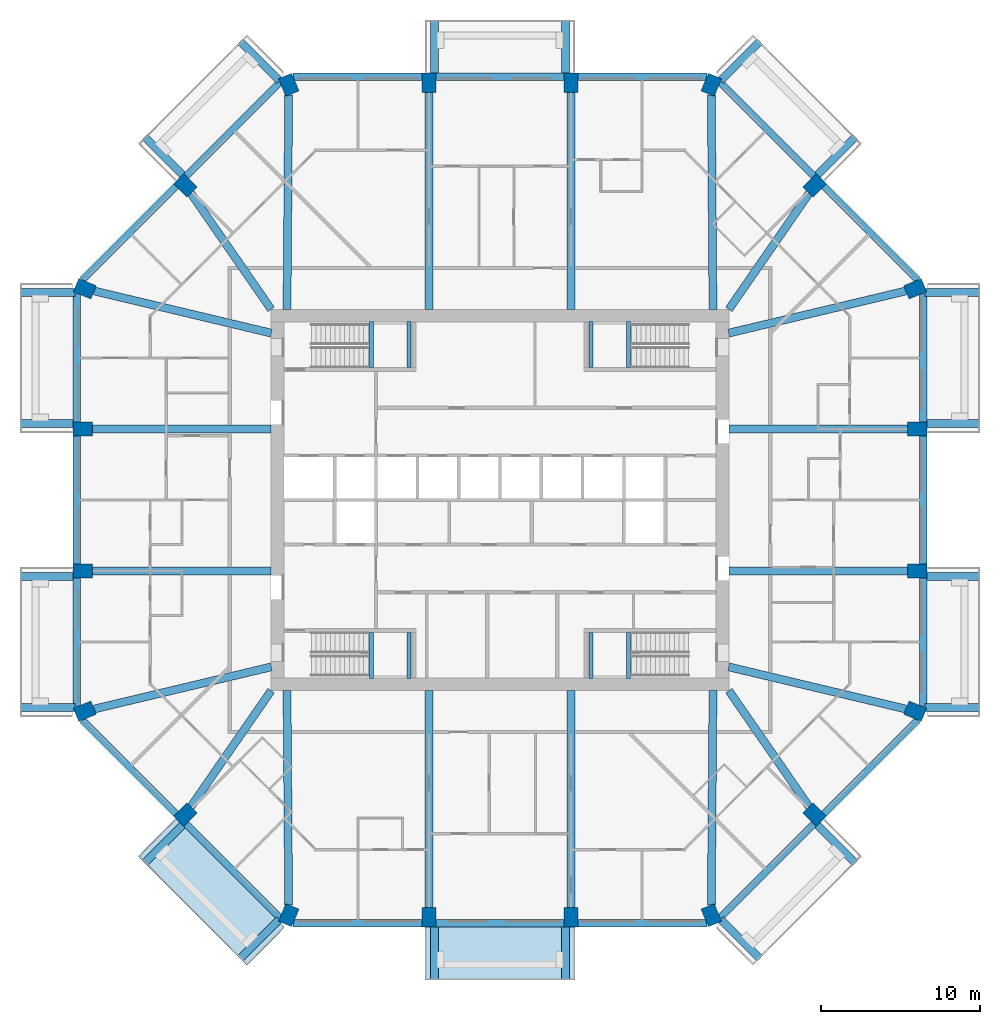
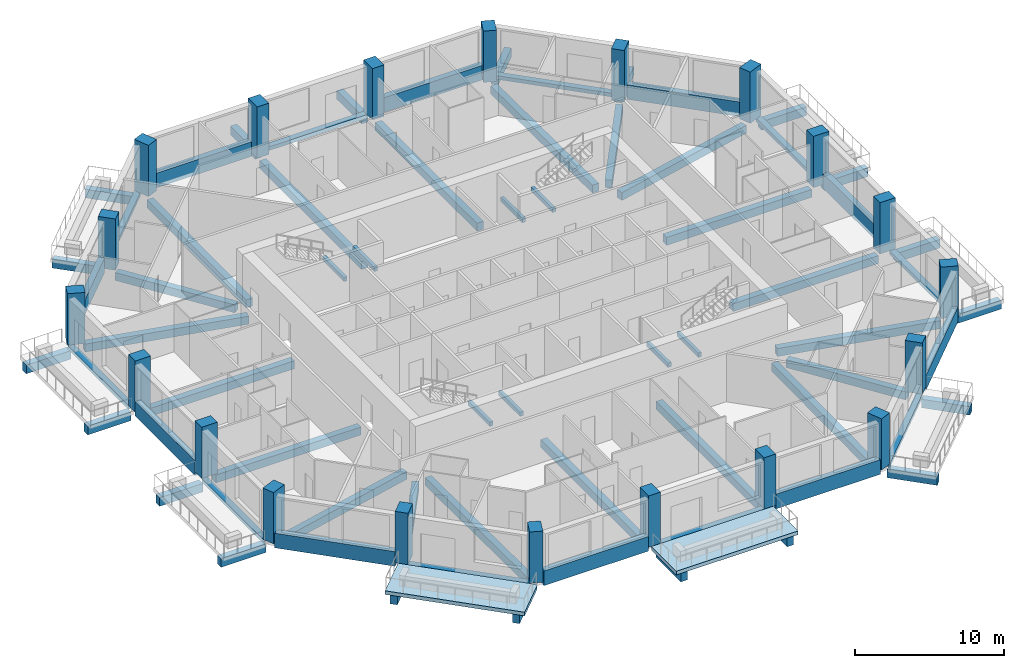
# One storey, part 1 of 13: 68 beams, 20 columns, 2 slabs.
"""IFC4 building model written with IfcOpenShell, lengths in metres."""

import ifcopenshell
import ifcopenshell.guid

model = None  # the IFC model being written
_history = None  # IfcOwnerHistory: only IFC2X3 demands one
_inside = {}  # id of a spatial element -> (the spatial element, [elements in it])
_under = {}  # id of a project, library or spatial element -> (it, [spatial elements below it])
_declared = {}  # id of a project -> (the project, [libraries it declares])
_typed = {}  # id of a type object -> (the type object, [elements of that type])
_made_of = {}  # id of a material, layer set ... -> (it, [elements and type objects made of it])


def new_model(schema):
    """Start an empty IFC model of exactly this schema.

    Asked for "IFC4X3", IfcOpenShell would pick the latest addendum, in which some entities
    have other attributes; the version numbers below select the first issue.
    IFC2X3 requires an IfcOwnerHistory on every rooted entity: one is made here for all.
    """
    global model, _history
    if schema == "IFC4X3":
        model = ifcopenshell.file(schema_version=(4, 3, 0, 0))
    else:
        model = ifcopenshell.file(schema=schema)
    _inside.clear()
    _under.clear()
    _declared.clear()
    _typed.clear()
    _made_of.clear()
    _history = None
    if model.schema == "IFC2X3":
        org = make("IfcOrganization", Name="unknown")
        user = make(
            "IfcPersonAndOrganization",
            ThePerson=make("IfcPerson", FamilyName="unknown"),
            TheOrganization=org,
        )
        app = make(
            "IfcApplication",
            ApplicationDeveloper=org,
            Version="unknown",
            ApplicationFullName="unknown",
            ApplicationIdentifier="unknown",
        )
        _history = make(
            "IfcOwnerHistory",
            OwningUser=user,
            OwningApplication=app,
            ChangeAction="ADDED",
            CreationDate=0,
        )
    return model


def make(cls, **values):
    """One entity of the class cls with the attributes given. An attribute that is None is left unset."""
    return model.create_entity(
        cls, **{name: value for name, value in values.items() if value is not None}
    )


def rooted(cls, **values):
    """An entity with a GlobalId (a new one), such as an element, a storey or a relation."""
    return make(cls, GlobalId=ifcopenshell.guid.new(), OwnerHistory=_history, **values)


def si_unit(unit_type, name, prefix=None):
    """IfcSIUnit, for example si_unit("LENGTHUNIT", "METRE", prefix="MILLI")."""
    return make("IfcSIUnit", UnitType=unit_type, Prefix=prefix, Name=name)


def assignment(units):
    """IfcUnitAssignment: the units of a project."""
    return None if units is None else make("IfcUnitAssignment", Units=units)


def point(xyz):
    """IfcCartesianPoint."""
    return None if xyz is None else make("IfcCartesianPoint", Coordinates=xyz)


def direction(xyz):
    """IfcDirection."""
    return None if xyz is None else make("IfcDirection", DirectionRatios=xyz)


def frame(location, z_axis=None, x_axis=None):
    """IfcAxis2Placement3D, a coordinate frame: its origin and axes. An axis left out is left unset."""
    return make(
        "IfcAxis2Placement3D",
        Location=point(location),
        Axis=direction(z_axis),
        RefDirection=direction(x_axis),
    )


def frame_2d(location, x_axis=None):
    """IfcAxis2Placement2D, a coordinate frame in the plane: its origin and x axis."""
    return make(
        "IfcAxis2Placement2D", Location=point(location), RefDirection=direction(x_axis)
    )


def origin():
    """The frame at (0, 0, 0) with its axes left unset."""
    return frame((0.0, 0.0, 0.0))


def origin_2d():
    """The frame at (0, 0) in the plane with its x axis left unset."""
    return frame_2d((0.0, 0.0))


def place(relative_to, where):
    """IfcLocalPlacement: puts the frame where relative to a parent placement (None: the world)."""
    return make(
        "IfcLocalPlacement", PlacementRelTo=relative_to, RelativePlacement=where
    )


def context(
    kind, dimensions, precision=None, world=None, true_north=None, identifier=None
):
    """IfcGeometricRepresentationContext, for example the 3D "Model" context."""
    return make(
        "IfcGeometricRepresentationContext",
        ContextIdentifier=identifier,
        ContextType=kind,
        CoordinateSpaceDimension=dimensions,
        Precision=precision,
        WorldCoordinateSystem=world,
        TrueNorth=true_north,
    )


def subcontext(parent, identifier, kind, view, scale=None):
    """IfcGeometricRepresentationSubContext, for example "Body" below "Model"."""
    return make(
        "IfcGeometricRepresentationSubContext",
        ContextIdentifier=identifier,
        ContextType=kind,
        ParentContext=parent,
        TargetScale=scale,
        TargetView=view,
    )


def project(units=None, contexts=None):
    """IfcProject with its units and contexts."""
    return rooted(
        "IfcProject",
        Name="project",
        RepresentationContexts=contexts,
        UnitsInContext=assignment(units),
    )


def spatial(cls, under=None, at=None, **own):
    """A site, building, storey or space (cls), placed at a placement, below another one or the project."""
    s = rooted(cls, ObjectPlacement=at, **own)
    if under is not None:
        _under.setdefault(under.id(), (under, []))[1].append(s)
    return s


def polyline(points):
    """IfcPolyline through the points."""
    return make("IfcPolyline", Points=[point(p) for p in points])


def profile(cls, at=None, kind="AREA", **sizes):
    """A parametric profile (cls). Its sizes go by their IFC names, for example OverallWidth=200.0."""
    return make(cls, ProfileType=kind, Position=at, **sizes)


def rectangle(**sizes):
    """IfcRectangleProfileDef."""
    return profile("IfcRectangleProfileDef", **sizes)


def outline(outer, holes=None, kind="AREA"):
    """IfcArbitraryClosedProfileDef: a profile drawn as a closed curve; with holes, ...WithVoids."""
    if holes is None:
        return make("IfcArbitraryClosedProfileDef", ProfileType=kind, OuterCurve=outer)
    return make(
        "IfcArbitraryProfileDefWithVoids",
        ProfileType=kind,
        OuterCurve=outer,
        InnerCurves=holes,
    )


def extrude(swept, where, along, depth):
    """IfcExtrudedAreaSolid: the profile swept, set in the frame where, extruded along a direction by depth."""
    return make(
        "IfcExtrudedAreaSolid",
        SweptArea=swept,
        Position=where,
        ExtrudedDirection=direction(along),
        Depth=depth,
    )


def shape(context_of_items, identifier, shape_type, items):
    """IfcShapeRepresentation: the items that make up one representation, for example the "Body"."""
    return make(
        "IfcShapeRepresentation",
        ContextOfItems=context_of_items,
        RepresentationIdentifier=identifier,
        RepresentationType=shape_type,
        Items=items,
    )


def material(Name=None, Category=None):
    """IfcMaterial."""
    return make("IfcMaterial", Name=Name, Category=Category)


def layer(
    of_material, thickness, ventilated=None, Name=None, Category=None, Priority=None
):
    """IfcMaterialLayer: one layer of a wall or slab, of a material (None: an air gap)."""
    return make(
        "IfcMaterialLayer",
        Material=of_material,
        LayerThickness=thickness,
        IsVentilated=ventilated,
        Name=Name,
        Category=Category,
        Priority=Priority,
    )


def layer_set(layers, Name=None):
    """IfcMaterialLayerSet."""
    return make("IfcMaterialLayerSet", MaterialLayers=layers, LayerSetName=Name)


def material_profile(
    of_material, cross_section, Name=None, Category=None, Priority=None
):
    """IfcMaterialProfile: a cross section and its material."""
    return make(
        "IfcMaterialProfile",
        Name=Name,
        Material=of_material,
        Profile=cross_section,
        Priority=Priority,
        Category=Category,
    )


def profile_set(profiles, Name=None, composite=None):
    """IfcMaterialProfileSet."""
    return make(
        "IfcMaterialProfileSet",
        Name=Name,
        MaterialProfiles=profiles,
        CompositeProfile=composite,
    )


def made_of(thing, what):
    """Note that an element or type object is made of a material, layer set ...; save() writes the relation."""
    if what is not None:
        _made_of.setdefault(what.id(), (what, []))[1].append(thing)
    return thing


def type_object(cls, material=None, **own):
    """A type object (cls), such as IfcWallType, which elements share."""
    return made_of(rooted(cls, **own), material)


def element(
    cls,
    number,
    at=None,
    inside=None,
    cuts=None,
    type_object=None,
    material=None,
    context=None,
    identifier="Body",
    shape_type=None,
    held_by="IfcProductDefinitionShape",
    body=None,
    shapes=None,
    **own,
):
    """One element of the class cls, such as IfcWall. Its Tag is "e" and its number.

    at: its placement. inside: the storey or other place that contains it. cuts: it is an
    opening in that element (IfcRelVoidsElement). A single representation is given by context,
    identifier, shape_type and body (its items); several are given by shapes. held_by: the class
    of the entity that holds the representations. save() writes the other relations.
    """
    e = rooted(cls, Tag="e%d" % number, ObjectPlacement=at, **own)
    if body is not None:
        shapes = [shape(context, identifier, shape_type, body)]
    if shapes is not None:
        e.Representation = make(held_by, Representations=shapes)
    if inside is not None:
        _inside.setdefault(inside.id(), (inside, []))[1].append(e)
    if cuts is not None:
        rooted(
            "IfcRelVoidsElement", RelatingBuildingElement=cuts, RelatedOpeningElement=e
        )
    if type_object is not None:
        _typed.setdefault(type_object.id(), (type_object, []))[1].append(e)
    return made_of(e, material)


def aggregate(whole, parts):
    """IfcRelAggregates: a whole, such as a stair, and the parts it consists of."""
    return rooted("IfcRelAggregates", RelatingObject=whole, RelatedObjects=parts)


def save(model, path):
    """Write the relations noted so far, then the file.

    IfcRelAggregates (storeys below a building ...), IfcRelContainedInSpatialStructure (elements
    in a storey), IfcRelDefinesByType, IfcRelAssociatesMaterial and IfcRelDeclares: one each for
    every whole, place, type object, material and project.
    """
    for whole, parts in _under.values():
        aggregate(whole, parts)
    for where, things in _inside.values():
        rooted(
            "IfcRelContainedInSpatialStructure",
            RelatedElements=things,
            RelatingStructure=where,
        )
    for kind, things in _typed.values():
        rooted("IfcRelDefinesByType", RelatedObjects=things, RelatingType=kind)
    for what, things in _made_of.values():
        rooted("IfcRelAssociatesMaterial", RelatedObjects=things, RelatingMaterial=what)
    for by, libraries in _declared.values():
        rooted("IfcRelDeclares", RelatingContext=by, RelatedDefinitions=libraries)
    model.write(path)


model = new_model("IFC4")

# Units and contexts
model_context = context("Model", 3, precision=1e-05, world=origin(), true_north=direction((0.0, 1.0)))
body_context = subcontext(model_context, "Body", "Model", "MODEL_VIEW")
ifc_project = project(units=[si_unit("LENGTHUNIT", "METRE"), si_unit("AREAUNIT", "SQUARE_METRE"), si_unit("VOLUMEUNIT", "CUBIC_METRE"), si_unit("PLANEANGLEUNIT", "RADIAN"), si_unit("MASSUNIT", "GRAM", prefix="KILO")], contexts=[model_context])

# Site, building, storey
site_placement = place(None, origin())
site = spatial("IfcSite", under=ifc_project, at=site_placement, CompositionType="ELEMENT")
building_placement = place(site_placement, origin())
building = spatial("IfcBuilding", under=site, at=building_placement, Name="Msitu Wima Residences", CompositionType="ELEMENT")
storey_placement = place(building_placement, frame((0.0, 0.0, 131.699951171875)))
storey = spatial("IfcBuildingStorey", under=building, at=storey_placement, Name="L30", CompositionType="ELEMENT", Elevation=131.699951171875)

# Columns
ifc_material_1 = material(Name="Concrete C70/85", Category="concrete")
ifc_material_profile_1 = material_profile(ifc_material_1, rectangle(XDim=0.89990234375, YDim=1.199951171875, at=origin_2d()), Name="RC 900x1200")
ifc_profile_set_1 = profile_set([ifc_material_profile_1], Name="Concrete C70/85")
column_type = type_object("IfcColumnType", Name="Column RC 900x1200 Concrete C70/85", PredefinedType="COLUMN", material=ifc_profile_set_1)
for number, where, z_axis, x_axis, name in (
    (1, (26.12353515625, -13.291259765625, 0.0), (0.0, 0.0, 1.0), (0.382683496864, 0.923879505795, 0.0), "Column L30 C-E0"),
    (2, (26.25, -4.46875, 0.0), (0.0, 0.0, 1.0), (0.0, 1.0, 0.0), "Column L30 C-E1"),
    (3, (26.25, 4.46875, 0.0), (0.0, 0.0, 1.0), (0.0, 1.0, 0.0), "Column L30 C-E2"),
    (4, (26.12353515625, 13.291259765625, 0.0), (0.0, 0.0, 1.0), (-0.382683496864, 0.923879505795, 0.0), "Column L30 C-NE0"),
    (5, (19.796875, 19.796875, 0.0), (0.0, 0.0, 1.0), (-0.707106781187, 0.707106781187, 0.0), "Column L30 C-NE1"),
    (6, (13.291259765625, 26.12353515625, 0.0), (0.0, 0.0, 1.0), (-0.923879505795, 0.382683496864, 0.0), "Column L30 C-N0"),
    (7, (4.46875, 26.25, 0.0), (0.0, 0.0, 1.0), (-1.0, 0.0, 0.0), "Column L30 C-N1"),
    (8, (-4.46875, 26.25, 0.0), (0.0, 0.0, 1.0), (-1.0, 0.0, 0.0), "Column L30 C-N2"),
    (9, (-13.291259765625, 26.12353515625, 0.0), (0.0, 0.0, 1.0), (-0.923879505795, -0.382683496864, 0.0), "Column L30 C-NW0"),
    (10, (-19.796875, 19.796875, 0.0), (0.0, 0.0, 1.0), (-0.707106781187, -0.707106781187, 0.0), "Column L30 C-NW1"),
    (11, (-26.12353515625, 13.291259765625, 0.0), (0.0, 0.0, 1.0), (-0.382683496864, -0.923879505795, 0.0), "Column L30 C-W0"),
    (12, (-26.25, 4.46875, 0.0), (0.0, 0.0, 1.0), (0.0, -1.0, 0.0), "Column L30 C-W1"),
    (13, (-26.25, -4.46875, 0.0), (0.0, 0.0, 1.0), (0.0, -1.0, 0.0), "Column L30 C-W2"),
    (14, (-26.12353515625, -13.291259765625, 0.0), (0.0, 0.0, 1.0), (0.382683496864, -0.923879505795, 0.0), "Column L30 C-SW0"),
    (15, (-19.796875, -19.796875, 0.0), (0.0, 0.0, 1.0), (0.707106781187, -0.707106781187, 0.0), "Column L30 C-SW1"),
    (16, (-13.291259765625, -26.12353515625, 0.0), (0.0, 0.0, 1.0), (0.923879505795, -0.382683496864, 0.0), "Column L30 C-S0"),
    (17, (-4.46875, -26.25, 0.0), (0.0, 0.0, 1.0), (1.0, 0.0, 0.0), "Column L30 C-S1"),
    (18, (4.46875, -26.25, 0.0), (0.0, 0.0, 1.0), (1.0, 0.0, 0.0), "Column L30 C-S2"),
    (19, (13.291259765625, -26.12353515625, 0.0), (0.0, 0.0, 1.0), (0.923879505795, 0.382683496864, 0.0), "Column L30 C-SE0"),
    (20, (19.796875, -19.796875, 0.0), (0.0, 0.0, 1.0), (0.707106781187, 0.707106781187, 0.0), "Column L30 C-SE1"),
):
    element("IfcColumn", number, at=place(storey_placement, frame(where, z_axis=z_axis, x_axis=x_axis)), inside=storey, type_object=column_type, Name=name, PredefinedType="COLUMN", context=body_context, shape_type="SweptSolid", body=[
        extrude(rectangle(XDim=0.89990234375, YDim=1.199951171875, at=origin_2d()), origin(), (0.0, 0.0, 1.0), 4.199951171875),
    ])

# Beams
ifc_material_2 = material(Name="Concrete C50/60", Category="concrete")
ifc_material_profile_2 = material_profile(ifc_material_2, rectangle(XDim=0.5, YDim=0.64990234375, at=origin_2d()), Name="RC 500x650")
ifc_profile_set_2 = profile_set([ifc_material_profile_2], Name="Concrete C50/60")
beam_type_1 = type_object("IfcBeamType", Name="Beam RC 500x650 Concrete C50/60", PredefinedType="BEAM", material=ifc_profile_set_2)
beam_1_placement = place(storey_placement, frame((25.5322265625, -13.150634765625, -0.574951171875), z_axis=(-0.972805528659, 0.231623408598, 0.0), x_axis=(-0.231623408598, -0.972805528659, 0.0)))
element("IfcBeam", 21, at=beam_1_placement, inside=storey, type_object=beam_type_1, Name="Beam L30 C-E0", PredefinedType="BEAM", context=body_context, shape_type="SweptSolid", body=[
    extrude(rectangle(XDim=0.5, YDim=0.64990234375, at=origin_2d()), origin(), (0.0, 0.0, 1.0), 11.455322265625),
])
for number, where, z_axis, x_axis, name in (
    (22, (25.64990234375, -4.46875, -0.574951171875), (-1.0, 0.0, 0.0), (0.0, -1.0, 0.0), "Beam L30 C-E1"),
    (23, (25.64990234375, 4.46875, -0.574951171875), (-1.0, 0.0, 0.0), (0.0, -1.0, 0.0), "Beam L30 C-E2"),
):
    element("IfcBeam", number, at=place(storey_placement, frame(where, z_axis=z_axis, x_axis=x_axis)), inside=storey, type_object=beam_type_1, Name=name, PredefinedType="BEAM", context=body_context, shape_type="SweptSolid", body=[
        extrude(rectangle(XDim=0.5, YDim=0.64990234375, at=origin_2d()), origin(), (0.0, 0.0, 1.0), 11.25),
    ])
beam_2_placement = place(storey_placement, frame((25.5322265625, 13.150634765625, -0.574951171875), z_axis=(-0.972805528659, -0.231623408598, 0.0), x_axis=(0.231623408598, -0.972805528659, 0.0)))
element("IfcBeam", 24, at=beam_2_placement, inside=storey, type_object=beam_type_1, Name="Beam L30 C-NE0", PredefinedType="BEAM", context=body_context, shape_type="SweptSolid", body=[
    extrude(rectangle(XDim=0.5, YDim=0.64990234375, at=origin_2d()), origin(), (0.0, 0.0, 1.0), 11.455322265625),
])
beam_3_placement = place(storey_placement, frame((19.44970703125, 19.29541015625, -0.574951171875), z_axis=(-0.569144158363, -0.822237755763, 0.0), x_axis=(0.822237755763, -0.569144158363, 0.0)))
element("IfcBeam", 25, at=beam_3_placement, inside=storey, type_object=beam_type_1, Name="Beam L30 C-NE1", PredefinedType="BEAM", context=body_context, shape_type="SweptSolid", body=[
    extrude(rectangle(XDim=0.5, YDim=0.64990234375, at=origin_2d()), origin(), (0.0, 0.0, 1.0), 8.87255859375),
])
beam_4_placement = place(storey_placement, frame((13.29638671875, 25.471923828125, -0.574951171875), z_axis=(0.007694865426, -0.999970394085, 0.0), x_axis=(0.999970394085, 0.007694865426, 0.0)))
element("IfcBeam", 26, at=beam_4_placement, inside=storey, type_object=beam_type_1, Name="Beam L30 C-N0", PredefinedType="BEAM", context=body_context, shape_type="SweptSolid", body=[
    extrude(rectangle(XDim=0.5, YDim=0.64990234375, at=origin_2d()), origin(), (0.0, 0.0, 1.0), 13.484375),
])
for number, where, z_axis, x_axis, name in (
    (27, (4.46875, 25.64990234375, -0.574951171875), (0.0, -1.0, 0.0), (1.0, 0.0, 0.0), "Beam L30 C-N1"),
    (28, (-4.46875, 25.64990234375, -0.574951171875), (0.0, -1.0, 0.0), (1.0, 0.0, 0.0), "Beam L30 C-N2"),
):
    element("IfcBeam", number, at=place(storey_placement, frame(where, z_axis=z_axis, x_axis=x_axis)), inside=storey, type_object=beam_type_1, Name=name, PredefinedType="BEAM", context=body_context, shape_type="SweptSolid", body=[
        extrude(rectangle(XDim=0.5, YDim=0.64990234375, at=origin_2d()), origin(), (0.0, 0.0, 1.0), 13.64990234375),
    ])
beam_5_placement = place(storey_placement, frame((-13.29638671875, 25.471923828125, -0.574951171875), z_axis=(-0.007694865426, -0.999970394085, 0.0), x_axis=(0.999970394085, -0.007694865426, 0.0)))
element("IfcBeam", 29, at=beam_5_placement, inside=storey, type_object=beam_type_1, Name="Beam L30 C-NW0", PredefinedType="BEAM", context=body_context, shape_type="SweptSolid", body=[
    extrude(rectangle(XDim=0.5, YDim=0.64990234375, at=origin_2d()), origin(), (0.0, 0.0, 1.0), 13.484375),
])
beam_6_placement = place(storey_placement, frame((-19.44970703125, 19.29541015625, -0.574951171875), z_axis=(0.569144158363, -0.822237755763, 0.0), x_axis=(0.822237755763, 0.569144158363, 0.0)))
element("IfcBeam", 30, at=beam_6_placement, inside=storey, type_object=beam_type_1, Name="Beam L30 C-NW1", PredefinedType="BEAM", context=body_context, shape_type="SweptSolid", body=[
    extrude(rectangle(XDim=0.5, YDim=0.64990234375, at=origin_2d()), origin(), (0.0, 0.0, 1.0), 8.87255859375),
])
beam_7_placement = place(storey_placement, frame((-25.5322265625, 13.150634765625, -0.574951171875), z_axis=(0.972805528659, -0.231623408598, 0.0), x_axis=(0.231623408598, 0.972805528659, 0.0)))
element("IfcBeam", 31, at=beam_7_placement, inside=storey, type_object=beam_type_1, Name="Beam L30 C-W0", PredefinedType="BEAM", context=body_context, shape_type="SweptSolid", body=[
    extrude(rectangle(XDim=0.5, YDim=0.64990234375, at=origin_2d()), origin(), (0.0, 0.0, 1.0), 11.455322265625),
])
for number, where, z_axis, x_axis, name in (
    (32, (-25.64990234375, 4.46875, -0.574951171875), (1.0, 0.0, 0.0), (0.0, 1.0, 0.0), "Beam L30 C-W1"),
    (33, (-25.64990234375, -4.46875, -0.574951171875), (1.0, 0.0, 0.0), (0.0, 1.0, 0.0), "Beam L30 C-W2"),
):
    element("IfcBeam", number, at=place(storey_placement, frame(where, z_axis=z_axis, x_axis=x_axis)), inside=storey, type_object=beam_type_1, Name=name, PredefinedType="BEAM", context=body_context, shape_type="SweptSolid", body=[
        extrude(rectangle(XDim=0.5, YDim=0.64990234375, at=origin_2d()), origin(), (0.0, 0.0, 1.0), 11.25),
    ])
beam_8_placement = place(storey_placement, frame((-25.5322265625, -13.150634765625, -0.574951171875), z_axis=(0.972805528659, 0.231623408598, 0.0), x_axis=(-0.231623408598, 0.972805528659, 0.0)))
element("IfcBeam", 34, at=beam_8_placement, inside=storey, type_object=beam_type_1, Name="Beam L30 C-SW0", PredefinedType="BEAM", context=body_context, shape_type="SweptSolid", body=[
    extrude(rectangle(XDim=0.5, YDim=0.64990234375, at=origin_2d()), origin(), (0.0, 0.0, 1.0), 11.455322265625),
])
beam_9_placement = place(storey_placement, frame((-19.44970703125, -19.29541015625, -0.574951171875), z_axis=(0.569144158363, 0.822237755763, 0.0), x_axis=(-0.822237755763, 0.569144158363, 0.0)))
element("IfcBeam", 35, at=beam_9_placement, inside=storey, type_object=beam_type_1, Name="Beam L30 C-SW1", PredefinedType="BEAM", context=body_context, shape_type="SweptSolid", body=[
    extrude(rectangle(XDim=0.5, YDim=0.64990234375, at=origin_2d()), origin(), (0.0, 0.0, 1.0), 8.87255859375),
])
beam_10_placement = place(storey_placement, frame((-13.29638671875, -25.471923828125, -0.574951171875), z_axis=(-0.007694865426, 0.999970394085, 0.0), x_axis=(-0.999970394085, -0.007694865426, 0.0)))
element("IfcBeam", 36, at=beam_10_placement, inside=storey, type_object=beam_type_1, Name="Beam L30 C-S0", PredefinedType="BEAM", context=body_context, shape_type="SweptSolid", body=[
    extrude(rectangle(XDim=0.5, YDim=0.64990234375, at=origin_2d()), origin(), (0.0, 0.0, 1.0), 13.484375),
])
for number, where, z_axis, x_axis, name in (
    (37, (-4.46875, -25.64990234375, -0.574951171875), (0.0, 1.0, 0.0), (-1.0, 0.0, 0.0), "Beam L30 C-S1"),
    (38, (4.46875, -25.64990234375, -0.574951171875), (0.0, 1.0, 0.0), (-1.0, 0.0, 0.0), "Beam L30 C-S2"),
):
    element("IfcBeam", number, at=place(storey_placement, frame(where, z_axis=z_axis, x_axis=x_axis)), inside=storey, type_object=beam_type_1, Name=name, PredefinedType="BEAM", context=body_context, shape_type="SweptSolid", body=[
        extrude(rectangle(XDim=0.5, YDim=0.64990234375, at=origin_2d()), origin(), (0.0, 0.0, 1.0), 13.64990234375),
    ])
beam_11_placement = place(storey_placement, frame((13.29638671875, -25.471923828125, -0.574951171875), z_axis=(0.007694865426, 0.999970394085, 0.0), x_axis=(-0.999970394085, 0.007694865426, 0.0)))
element("IfcBeam", 39, at=beam_11_placement, inside=storey, type_object=beam_type_1, Name="Beam L30 C-SE0", PredefinedType="BEAM", context=body_context, shape_type="SweptSolid", body=[
    extrude(rectangle(XDim=0.5, YDim=0.64990234375, at=origin_2d()), origin(), (0.0, 0.0, 1.0), 13.484375),
])
beam_12_placement = place(storey_placement, frame((19.44970703125, -19.29541015625, -0.574951171875), z_axis=(-0.569144158363, 0.822237755763, 0.0), x_axis=(-0.822237755763, -0.569144158363, 0.0)))
element("IfcBeam", 40, at=beam_12_placement, inside=storey, type_object=beam_type_1, Name="Beam L30 C-SE1", PredefinedType="BEAM", context=body_context, shape_type="SweptSolid", body=[
    extrude(rectangle(XDim=0.5, YDim=0.64990234375, at=origin_2d()), origin(), (0.0, 0.0, 1.0), 8.87255859375),
])
ifc_material_profile_3 = material_profile(ifc_material_2, rectangle(XDim=0.5, YDim=0.699951171875, at=origin_2d()), Name="RC 500x700")
ifc_profile_set_3 = profile_set([ifc_material_profile_3], Name="Concrete C50/60")
beam_type_2 = type_object("IfcBeamType", Name="Cantilever beam RC 500x700 Concrete C50/60", PredefinedType="BEAM", material=ifc_profile_set_3)
beam_13_placement = place(storey_placement, frame((26.73095703125, -13.055908203125, -0.64990234375), z_axis=(1.0, 0.0, 0.0), x_axis=(0.0, 1.0, 0.0)))
element("IfcBeam", 41, at=beam_13_placement, inside=storey, type_object=beam_type_2, Name="Cantilever beam L30 BA-E0 A", PredefinedType="BEAM", context=body_context, shape_type="SweptSolid", body=[
    extrude(rectangle(XDim=0.5, YDim=0.699951171875, at=origin_2d()), origin(), (0.0, 0.0, 1.0), 3.468994140625),
])
for number, where, z_axis, x_axis, name in (
    (42, (26.85009765625, -4.818603515625, -0.64990234375), (1.0, 0.0, 0.0), (0.0, 1.0, 0.0), "Cantilever beam L30 BA-E0 B"),
    (43, (26.85009765625, 4.818603515625, -0.64990234375), (1.0, 0.0, 0.0), (0.0, 1.0, 0.0), "Cantilever beam L30 BA-E2 A"),
):
    element("IfcBeam", number, at=place(storey_placement, frame(where, z_axis=z_axis, x_axis=x_axis)), inside=storey, type_object=beam_type_2, Name=name, PredefinedType="BEAM", context=body_context, shape_type="SweptSolid", body=[
        extrude(rectangle(XDim=0.5, YDim=0.699951171875, at=origin_2d()), origin(), (0.0, 0.0, 1.0), 3.349853515625),
    ])
beam_14_placement = place(storey_placement, frame((26.73095703125, 13.055908203125, -0.64990234375), z_axis=(1.0, 0.0, 0.0), x_axis=(0.0, 1.0, 0.0)))
element("IfcBeam", 44, at=beam_14_placement, inside=storey, type_object=beam_type_2, Name="Cantilever beam L30 BA-E2 B", PredefinedType="BEAM", context=body_context, shape_type="SweptSolid", body=[
    extrude(rectangle(XDim=0.5, YDim=0.699951171875, at=origin_2d()), origin(), (0.0, 0.0, 1.0), 3.468994140625),
])
beam_15_placement = place(storey_placement, frame((19.9736328125, 20.46875, -0.64990234375), z_axis=(0.707143219659, 0.707070340836, 0.0), x_axis=(-0.707070340836, 0.707143219659, 0.0)))
element("IfcBeam", 45, at=beam_15_placement, inside=storey, type_object=beam_type_2, Name="Cantilever beam L30 BA-NE1 A", PredefinedType="BEAM", context=body_context, shape_type="SweptSolid", body=[
    extrude(rectangle(XDim=0.5, YDim=0.699951171875, at=origin_2d()), origin(), (0.0, 0.0, 1.0), 3.349853515625),
])
beam_16_placement = place(storey_placement, frame((13.887451171875, 26.386474609375, -0.64990234375), z_axis=(0.707071592116, 0.707141968506, 0.0), x_axis=(-0.707141968506, 0.707071592116, 0.0)))
element("IfcBeam", 46, at=beam_16_placement, inside=storey, type_object=beam_type_2, Name="Cantilever beam L30 BA-NE1 B", PredefinedType="BEAM", context=body_context, shape_type="SweptSolid", body=[
    extrude(rectangle(XDim=0.5, YDim=0.699951171875, at=origin_2d()), origin(), (0.0, 0.0, 1.0), 3.468994140625),
])
for number, where, z_axis, x_axis, name in (
    (47, (4.11865234375, 26.85009765625, -0.64990234375), (0.0, 1.0, 0.0), (-1.0, 0.0, 0.0), "Cantilever beam L30 BA-N1 A"),
    (48, (-4.11865234375, 26.85009765625, -0.64990234375), (0.0, 1.0, 0.0), (-1.0, 0.0, 0.0), "Cantilever beam L30 BA-N1 B"),
):
    element("IfcBeam", number, at=place(storey_placement, frame(where, z_axis=z_axis, x_axis=x_axis)), inside=storey, type_object=beam_type_2, Name=name, PredefinedType="BEAM", context=body_context, shape_type="SweptSolid", body=[
        extrude(rectangle(XDim=0.5, YDim=0.699951171875, at=origin_2d()), origin(), (0.0, 0.0, 1.0), 3.349853515625),
    ])
beam_17_placement = place(storey_placement, frame((-13.887451171875, 26.386474609375, -0.64990234375), z_axis=(-0.707071592116, 0.707141968506, 0.0), x_axis=(-0.707141968506, -0.707071592116, 0.0)))
element("IfcBeam", 49, at=beam_17_placement, inside=storey, type_object=beam_type_2, Name="Cantilever beam L30 BA-NW0 A", PredefinedType="BEAM", context=body_context, shape_type="SweptSolid", body=[
    extrude(rectangle(XDim=0.5, YDim=0.699951171875, at=origin_2d()), origin(), (0.0, 0.0, 1.0), 3.468994140625),
])
beam_18_placement = place(storey_placement, frame((-19.9736328125, 20.46875, -0.64990234375), z_axis=(-0.707143219659, 0.707070340836, 0.0), x_axis=(-0.707070340836, -0.707143219659, 0.0)))
element("IfcBeam", 50, at=beam_18_placement, inside=storey, type_object=beam_type_2, Name="Cantilever beam L30 BA-NW0 B", PredefinedType="BEAM", context=body_context, shape_type="SweptSolid", body=[
    extrude(rectangle(XDim=0.5, YDim=0.699951171875, at=origin_2d()), origin(), (0.0, 0.0, 1.0), 3.349853515625),
])
beam_19_placement = place(storey_placement, frame((-26.73095703125, 13.055908203125, -0.64990234375), z_axis=(-1.0, 0.0, 0.0), x_axis=(0.0, -1.0, 0.0)))
element("IfcBeam", 51, at=beam_19_placement, inside=storey, type_object=beam_type_2, Name="Cantilever beam L30 BA-W0 A", PredefinedType="BEAM", context=body_context, shape_type="SweptSolid", body=[
    extrude(rectangle(XDim=0.5, YDim=0.699951171875, at=origin_2d()), origin(), (0.0, 0.0, 1.0), 3.468994140625),
])
for number, where, z_axis, x_axis, name in (
    (52, (-26.85009765625, 4.818603515625, -0.64990234375), (-1.0, 0.0, 0.0), (0.0, -1.0, 0.0), "Cantilever beam L30 BA-W0 B"),
    (53, (-26.85009765625, -4.818603515625, -0.64990234375), (-1.0, 0.0, 0.0), (0.0, -1.0, 0.0), "Cantilever beam L30 BA-W2 A"),
):
    element("IfcBeam", number, at=place(storey_placement, frame(where, z_axis=z_axis, x_axis=x_axis)), inside=storey, type_object=beam_type_2, Name=name, PredefinedType="BEAM", context=body_context, shape_type="SweptSolid", body=[
        extrude(rectangle(XDim=0.5, YDim=0.699951171875, at=origin_2d()), origin(), (0.0, 0.0, 1.0), 3.349853515625),
    ])
beam_20_placement = place(storey_placement, frame((-26.73095703125, -13.055908203125, -0.64990234375), z_axis=(-1.0, 0.0, 0.0), x_axis=(0.0, -1.0, 0.0)))
element("IfcBeam", 54, at=beam_20_placement, inside=storey, type_object=beam_type_2, Name="Cantilever beam L30 BA-W2 B", PredefinedType="BEAM", context=body_context, shape_type="SweptSolid", body=[
    extrude(rectangle(XDim=0.5, YDim=0.699951171875, at=origin_2d()), origin(), (0.0, 0.0, 1.0), 3.468994140625),
])
beam_21_placement = place(storey_placement, frame((-19.9736328125, -20.46875, -0.64990234375), z_axis=(-0.707143219659, -0.707070340836, 0.0), x_axis=(0.707070340836, -0.707143219659, 0.0)))
element("IfcBeam", 55, at=beam_21_placement, inside=storey, type_object=beam_type_2, Name="Cantilever beam L30 BA-SW1 A", PredefinedType="BEAM", context=body_context, shape_type="SweptSolid", body=[
    extrude(rectangle(XDim=0.5, YDim=0.699951171875, at=origin_2d()), origin(), (0.0, 0.0, 1.0), 3.349853515625),
])
beam_22_placement = place(storey_placement, frame((-13.887451171875, -26.386474609375, -0.64990234375), z_axis=(-0.707071592116, -0.707141968506, 0.0), x_axis=(0.707141968506, -0.707071592116, 0.0)))
element("IfcBeam", 56, at=beam_22_placement, inside=storey, type_object=beam_type_2, Name="Cantilever beam L30 BA-SW1 B", PredefinedType="BEAM", context=body_context, shape_type="SweptSolid", body=[
    extrude(rectangle(XDim=0.5, YDim=0.699951171875, at=origin_2d()), origin(), (0.0, 0.0, 1.0), 3.468994140625),
])
for number, where, z_axis, x_axis, name in (
    (57, (-4.11865234375, -26.85009765625, -0.64990234375), (0.0, -1.0, 0.0), (1.0, 0.0, 0.0), "Cantilever beam L30 BA-S1 A"),
    (58, (4.11865234375, -26.85009765625, -0.64990234375), (0.0, -1.0, 0.0), (1.0, 0.0, 0.0), "Cantilever beam L30 BA-S1 B"),
):
    element("IfcBeam", number, at=place(storey_placement, frame(where, z_axis=z_axis, x_axis=x_axis)), inside=storey, type_object=beam_type_2, Name=name, PredefinedType="BEAM", context=body_context, shape_type="SweptSolid", body=[
        extrude(rectangle(XDim=0.5, YDim=0.699951171875, at=origin_2d()), origin(), (0.0, 0.0, 1.0), 3.349853515625),
    ])
beam_23_placement = place(storey_placement, frame((13.887451171875, -26.386474609375, -0.64990234375), z_axis=(0.707071592116, -0.707141968506, 0.0), x_axis=(0.707141968506, 0.707071592116, 0.0)))
element("IfcBeam", 59, at=beam_23_placement, inside=storey, type_object=beam_type_2, Name="Cantilever beam L30 BA-SE0 A", PredefinedType="BEAM", context=body_context, shape_type="SweptSolid", body=[
    extrude(rectangle(XDim=0.5, YDim=0.699951171875, at=origin_2d()), origin(), (0.0, 0.0, 1.0), 3.468994140625),
])
beam_24_placement = place(storey_placement, frame((19.9736328125, -20.46875, -0.64990234375), z_axis=(0.707143219659, -0.707070340836, 0.0), x_axis=(0.707070340836, 0.707143219659, 0.0)))
element("IfcBeam", 60, at=beam_24_placement, inside=storey, type_object=beam_type_2, Name="Cantilever beam L30 BA-SE0 B", PredefinedType="BEAM", context=body_context, shape_type="SweptSolid", body=[
    extrude(rectangle(XDim=0.5, YDim=0.699951171875, at=origin_2d()), origin(), (0.0, 0.0, 1.0), 3.349853515625),
])
ifc_material_profile_4 = material_profile(ifc_material_2, rectangle(XDim=0.449951171875, YDim=0.300048828125, at=origin_2d()), Name="RC 450x300")
ifc_profile_set_4 = profile_set([ifc_material_profile_4], Name="Concrete C50/60")
beam_type_3 = type_object("IfcBeamType", Name="Edge beam RC 450x300 Concrete C50/60", PredefinedType="SPANDREL", material=ifc_profile_set_4)
for number, where, z_axis, x_axis, name in (
    (61, (26.625, -13.02392578125, -0.14990234375), (0.0, 1.0, 0.0), (-1.0, 0.0, 0.0), "Spandrel L30 E0"),
    (62, (26.625, 4.918701171875, -0.14990234375), (0.0, 1.0, 0.0), (-1.0, 0.0, 0.0), "Spandrel L30 E2"),
):
    element("IfcBeam", number, at=place(storey_placement, frame(where, z_axis=z_axis, x_axis=x_axis)), inside=storey, type_object=beam_type_3, Name=name, PredefinedType="SPANDREL", context=body_context, shape_type="SweptSolid", body=[
        extrude(rectangle(XDim=0.449951171875, YDim=0.300048828125, at=origin_2d()), origin(), (0.0, 0.0, 1.0), 8.105224609375),
    ])
beam_25_placement = place(storey_placement, frame((19.743896484375, 20.380126953125, -0.14990234375), z_axis=(-0.707106781187, 0.707106781187, 0.0), x_axis=(-0.707106781187, -0.707106781187, 0.0)))
element("IfcBeam", 63, at=beam_25_placement, inside=storey, type_object=beam_type_3, Name="Spandrel L30 NE1", PredefinedType="SPANDREL", context=body_context, shape_type="SweptSolid", body=[
    extrude(rectangle(XDim=0.449951171875, YDim=0.300048828125, at=origin_2d()), origin(), (0.0, 0.0, 1.0), 8.3564453125),
])
beam_26_placement = place(storey_placement, frame((4.0185546875, 26.625, -0.14990234375), z_axis=(-1.0, 0.0, 0.0), x_axis=(0.0, -1.0, 0.0)))
element("IfcBeam", 64, at=beam_26_placement, inside=storey, type_object=beam_type_3, Name="Spandrel L30 N1", PredefinedType="SPANDREL", context=body_context, shape_type="SweptSolid", body=[
    extrude(rectangle(XDim=0.449951171875, YDim=0.300048828125, at=origin_2d()), origin(), (0.0, 0.0, 1.0), 8.037109375),
])
beam_27_placement = place(storey_placement, frame((-13.8349609375, 26.2890625, -0.14990234375), z_axis=(-0.707106781187, -0.707106781187, 0.0), x_axis=(0.707106781187, -0.707106781187, 0.0)))
element("IfcBeam", 65, at=beam_27_placement, inside=storey, type_object=beam_type_3, Name="Spandrel L30 NW0", PredefinedType="SPANDREL", context=body_context, shape_type="SweptSolid", body=[
    extrude(rectangle(XDim=0.449951171875, YDim=0.300048828125, at=origin_2d()), origin(), (0.0, 0.0, 1.0), 8.3564453125),
])
for number, where, z_axis, x_axis, name in (
    (66, (-26.625, 13.02392578125, -0.14990234375), (0.0, -1.0, 0.0), (1.0, 0.0, 0.0), "Spandrel L30 W0"),
    (67, (-26.625, -4.918701171875, -0.14990234375), (0.0, -1.0, 0.0), (1.0, 0.0, 0.0), "Spandrel L30 W2"),
):
    element("IfcBeam", number, at=place(storey_placement, frame(where, z_axis=z_axis, x_axis=x_axis)), inside=storey, type_object=beam_type_3, Name=name, PredefinedType="SPANDREL", context=body_context, shape_type="SweptSolid", body=[
        extrude(rectangle(XDim=0.449951171875, YDim=0.300048828125, at=origin_2d()), origin(), (0.0, 0.0, 1.0), 8.105224609375),
    ])
beam_28_placement = place(storey_placement, frame((-19.743896484375, -20.380126953125, -0.14990234375), z_axis=(0.707106781187, -0.707106781187, 0.0), x_axis=(0.707106781187, 0.707106781187, 0.0)))
element("IfcBeam", 68, at=beam_28_placement, inside=storey, type_object=beam_type_3, Name="Spandrel L30 SW1", PredefinedType="SPANDREL", context=body_context, shape_type="SweptSolid", body=[
    extrude(rectangle(XDim=0.449951171875, YDim=0.300048828125, at=origin_2d()), origin(), (0.0, 0.0, 1.0), 8.3564453125),
])
beam_29_placement = place(storey_placement, frame((-4.0185546875, -26.625, -0.14990234375), z_axis=(1.0, 0.0, 0.0), x_axis=(0.0, 1.0, 0.0)))
element("IfcBeam", 69, at=beam_29_placement, inside=storey, type_object=beam_type_3, Name="Spandrel L30 S1", PredefinedType="SPANDREL", context=body_context, shape_type="SweptSolid", body=[
    extrude(rectangle(XDim=0.449951171875, YDim=0.300048828125, at=origin_2d()), origin(), (0.0, 0.0, 1.0), 8.037109375),
])
beam_30_placement = place(storey_placement, frame((13.8349609375, -26.2890625, -0.14990234375), z_axis=(0.707106781187, 0.707106781187, 0.0), x_axis=(-0.707106781187, 0.707106781187, 0.0)))
element("IfcBeam", 70, at=beam_30_placement, inside=storey, type_object=beam_type_3, Name="Spandrel L30 SE0", PredefinedType="SPANDREL", context=body_context, shape_type="SweptSolid", body=[
    extrude(rectangle(XDim=0.449951171875, YDim=0.300048828125, at=origin_2d()), origin(), (0.0, 0.0, 1.0), 8.3564453125),
])
ifc_material_3 = material(Name="Concrete C40/50", Category="concrete")
ifc_material_profile_5 = material_profile(ifc_material_3, rectangle(XDim=0.25, YDim=0.35009765625, at=origin_2d()), Name="RC 250x350")
ifc_profile_set_5 = profile_set([ifc_material_profile_5], Name="Concrete C40/50")
beam_type_4 = type_object("IfcBeamType", Name="Landing beam RC 250x350", PredefinedType="BEAM", material=ifc_profile_set_5)
for number, where, z_axis, x_axis, name in (
    (71, (-8.074951171875, 8.324951171875, 1.72509765625), (0.0, 1.0, 0.0), (-1.0, 0.0, 0.0), "Stair 1 landing beam"),
    (72, (-5.72509765625, 8.324951171875, 1.72509765625), (0.0, 1.0, 0.0), (-1.0, 0.0, 0.0), "Stair 1 landing beam"),
    (73, (-8.074951171875, -11.22509765625, 1.72509765625), (0.0, 1.0, 0.0), (-1.0, 0.0, 0.0), "Stair 2 landing beam"),
    (74, (-5.72509765625, -11.22509765625, 1.72509765625), (0.0, 1.0, 0.0), (-1.0, 0.0, 0.0), "Stair 2 landing beam"),
    (75, (8.074951171875, 8.324951171875, 1.72509765625), (0.0, 1.0, 0.0), (-1.0, 0.0, 0.0), "Stair 3 landing beam"),
    (76, (5.72509765625, 8.324951171875, 1.72509765625), (0.0, 1.0, 0.0), (-1.0, 0.0, 0.0), "Stair 3 landing beam"),
    (77, (8.074951171875, -11.22509765625, 1.72509765625), (0.0, 1.0, 0.0), (-1.0, 0.0, 0.0), "Stair 4 landing beam"),
    (78, (5.72509765625, -11.22509765625, 1.72509765625), (0.0, 1.0, 0.0), (-1.0, 0.0, 0.0), "Stair 4 landing beam"),
):
    element("IfcBeam", number, at=place(storey_placement, frame(where, z_axis=z_axis, x_axis=x_axis)), inside=storey, type_object=beam_type_4, Name=name, PredefinedType="BEAM", context=body_context, shape_type="SweptSolid", body=[
        extrude(rectangle(XDim=0.25, YDim=0.35009765625, at=origin_2d()), origin(), (0.0, 0.0, 1.0), 2.900146484375),
    ])
ifc_material_profile_6 = material_profile(ifc_material_2, rectangle(XDim=0.449951171875, YDim=1.199951171875, at=origin_2d()), Name="RC 450x1200")
ifc_profile_set_6 = profile_set([ifc_material_profile_6], Name="Concrete C50/60")
beam_type_5 = type_object("IfcBeamType", Name="Spandrel RC 450x1200 Concrete C50/60", PredefinedType="SPANDREL", material=ifc_profile_set_6)
beam_31_placement = place(storey_placement, frame((26.625, -4.0185546875, 0.300048828125), z_axis=(0.0, 1.0, 0.0), x_axis=(-1.0, 0.0, 0.0)))
element("IfcBeam", 79, at=beam_31_placement, inside=storey, type_object=beam_type_5, Name="Spandrel L30 E1", PredefinedType="SPANDREL", context=body_context, shape_type="SweptSolid", body=[
    extrude(rectangle(XDim=0.449951171875, YDim=1.199951171875, at=origin_2d()), origin(), (0.0, 0.0, 1.0), 8.037109375),
])
beam_32_placement = place(storey_placement, frame((26.2890625, 13.8349609375, 0.300048828125), z_axis=(-0.707106781187, 0.707106781187, 0.0), x_axis=(-0.707106781187, -0.707106781187, 0.0)))
element("IfcBeam", 80, at=beam_32_placement, inside=storey, type_object=beam_type_5, Name="Spandrel L30 NE0", PredefinedType="SPANDREL", context=body_context, shape_type="SweptSolid", body=[
    extrude(rectangle(XDim=0.449951171875, YDim=1.199951171875, at=origin_2d()), origin(), (0.0, 0.0, 1.0), 8.3564453125),
])
for number, where, z_axis, x_axis, name in (
    (81, (13.02392578125, 26.625, 0.300048828125), (-1.0, 0.0, 0.0), (0.0, -1.0, 0.0), "Spandrel L30 N0"),
    (82, (-4.918701171875, 26.625, 0.300048828125), (-1.0, 0.0, 0.0), (0.0, -1.0, 0.0), "Spandrel L30 N2"),
):
    element("IfcBeam", number, at=place(storey_placement, frame(where, z_axis=z_axis, x_axis=x_axis)), inside=storey, type_object=beam_type_5, Name=name, PredefinedType="SPANDREL", context=body_context, shape_type="SweptSolid", body=[
        extrude(rectangle(XDim=0.449951171875, YDim=1.199951171875, at=origin_2d()), origin(), (0.0, 0.0, 1.0), 8.105224609375),
    ])
beam_33_placement = place(storey_placement, frame((-20.380126953125, 19.743896484375, 0.300048828125), z_axis=(-0.707106781187, -0.707106781187, 0.0), x_axis=(0.707106781187, -0.707106781187, 0.0)))
element("IfcBeam", 83, at=beam_33_placement, inside=storey, type_object=beam_type_5, Name="Spandrel L30 NW1", PredefinedType="SPANDREL", context=body_context, shape_type="SweptSolid", body=[
    extrude(rectangle(XDim=0.449951171875, YDim=1.199951171875, at=origin_2d()), origin(), (0.0, 0.0, 1.0), 8.3564453125),
])
beam_34_placement = place(storey_placement, frame((-26.625, 4.0185546875, 0.300048828125), z_axis=(0.0, -1.0, 0.0), x_axis=(1.0, 0.0, 0.0)))
element("IfcBeam", 84, at=beam_34_placement, inside=storey, type_object=beam_type_5, Name="Spandrel L30 W1", PredefinedType="SPANDREL", context=body_context, shape_type="SweptSolid", body=[
    extrude(rectangle(XDim=0.449951171875, YDim=1.199951171875, at=origin_2d()), origin(), (0.0, 0.0, 1.0), 8.037109375),
])
beam_35_placement = place(storey_placement, frame((-26.2890625, -13.8349609375, 0.300048828125), z_axis=(0.707106781187, -0.707106781187, 0.0), x_axis=(0.707106781187, 0.707106781187, 0.0)))
element("IfcBeam", 85, at=beam_35_placement, inside=storey, type_object=beam_type_5, Name="Spandrel L30 SW0", PredefinedType="SPANDREL", context=body_context, shape_type="SweptSolid", body=[
    extrude(rectangle(XDim=0.449951171875, YDim=1.199951171875, at=origin_2d()), origin(), (0.0, 0.0, 1.0), 8.3564453125),
])
for number, where, z_axis, x_axis, name in (
    (86, (-13.02392578125, -26.625, 0.300048828125), (1.0, 0.0, 0.0), (0.0, 1.0, 0.0), "Spandrel L30 S0"),
    (87, (4.918701171875, -26.625, 0.300048828125), (1.0, 0.0, 0.0), (0.0, 1.0, 0.0), "Spandrel L30 S2"),
):
    element("IfcBeam", number, at=place(storey_placement, frame(where, z_axis=z_axis, x_axis=x_axis)), inside=storey, type_object=beam_type_5, Name=name, PredefinedType="SPANDREL", context=body_context, shape_type="SweptSolid", body=[
        extrude(rectangle(XDim=0.449951171875, YDim=1.199951171875, at=origin_2d()), origin(), (0.0, 0.0, 1.0), 8.105224609375),
    ])
beam_36_placement = place(storey_placement, frame((20.380126953125, -19.743896484375, 0.300048828125), z_axis=(0.707106781187, 0.707106781187, 0.0), x_axis=(-0.707106781187, 0.707106781187, 0.0)))
element("IfcBeam", 88, at=beam_36_placement, inside=storey, type_object=beam_type_5, Name="Spandrel L30 SE1", PredefinedType="SPANDREL", context=body_context, shape_type="SweptSolid", body=[
    extrude(rectangle(XDim=0.449951171875, YDim=1.199951171875, at=origin_2d()), origin(), (0.0, 0.0, 1.0), 8.3564453125),
])

# Slabs
ifc_layer = layer(ifc_material_3, 0.300048828125)
ifc_layer_set = layer_set([ifc_layer], Name="Concrete C40/50")
slab_type = type_object("IfcSlabType", Name="Balcony slab BS300", PredefinedType="FLOOR", material=ifc_layer_set)
slab_1_placement = place(storey_placement, frame((0.0, 0.0, -0.300048828125)))
element("IfcSlab", 89, at=slab_1_placement, inside=storey, type_object=slab_type, Name="Balcony SW1 L30", PredefinedType="FLOOR", context=body_context, shape_type="SweptSolid", body=[
    extrude(outline(polyline([(-15.916015625, -29.263671875), (-22.766845703125, -22.4130859375), (-20.39794921875, -20.04443359375), (-13.59228515625, -26.85009765625), (-13.656005859375, -27.003662109375), (-15.916015625, -29.263671875)])), origin(), (0.0, 0.0, 1.0), 0.300048828125),
])
slab_2_placement = place(storey_placement, frame((0.0, 0.0, -0.300048828125)))
element("IfcSlab", 90, at=slab_2_placement, inside=storey, type_object=slab_type, Name="Balcony S1 L30", PredefinedType="FLOOR", context=body_context, shape_type="SweptSolid", body=[
    extrude(outline(polyline([(4.0185546875, -26.85009765625), (4.0185546875, -26.85009765625), (4.71875, -26.85009765625), (4.71875, -30.199951171875), (-4.71875, -30.199951171875), (-4.71875, -26.85009765625), (-4.0185546875, -26.85009765625), (-4.0185546875, -26.85009765625), (4.0185546875, -26.85009765625)])), origin(), (0.0, 0.0, 1.0), 0.300048828125),
])

save(model, "model.ifc")
